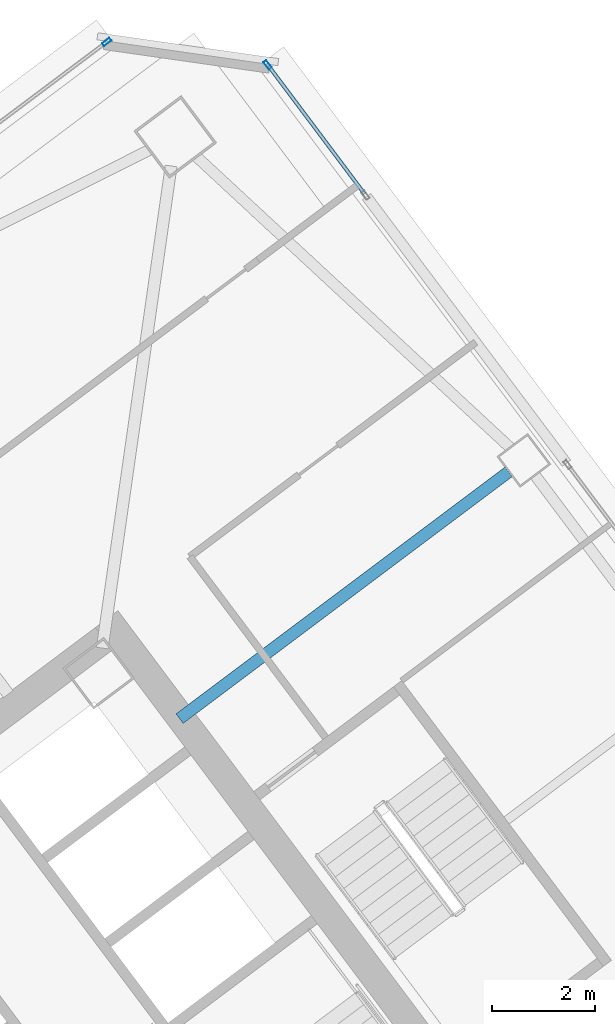
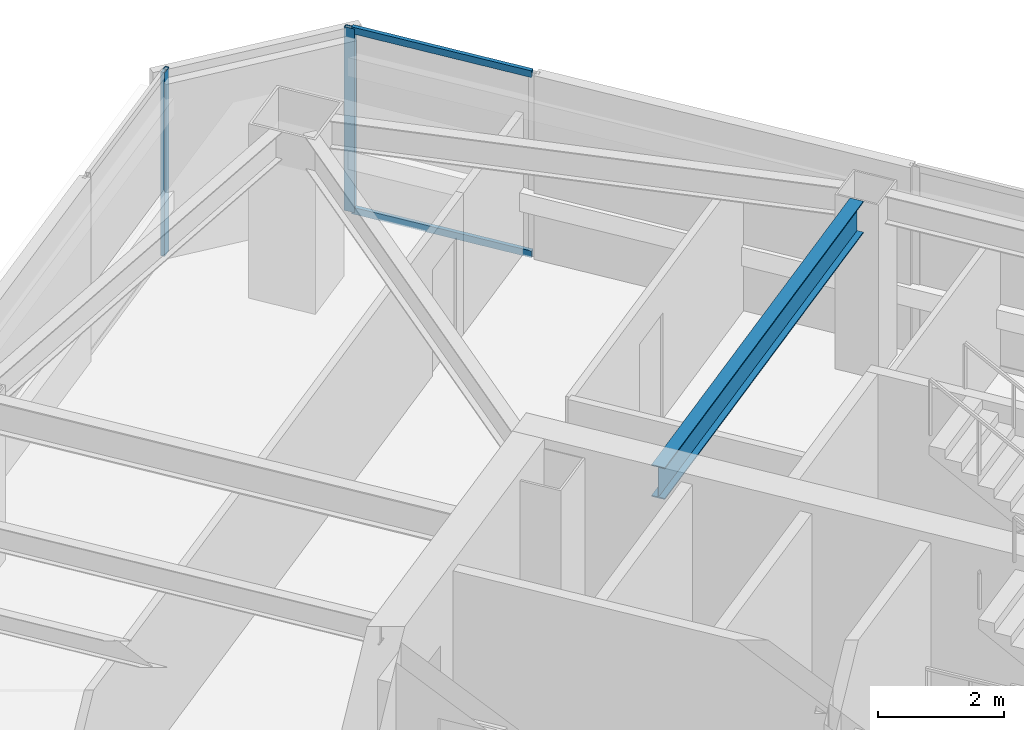
# One storey, part 27 of 41: 4 members, 1 beam, 2 elements without a shape of their own.
"""IFC4 building model written with IfcOpenShell, lengths in metres."""

from ifc_helpers import new_model, si_unit, direction, frame, origin, origin_2d, place, context, subcontext, project, spatial, hollow_rectangle, i_section, extrude, material, material_profile, profile_set, type_object, element, aggregate, save


model = new_model("IFC4")

# Units and contexts
model_context = context("Model", 3, precision=1e-05, world=origin(), true_north=direction((0.0, 1.0)))
body_context = subcontext(model_context, "Body", "Model", "MODEL_VIEW")
ifc_project = project(units=[si_unit("LENGTHUNIT", "METRE"), si_unit("AREAUNIT", "SQUARE_METRE"), si_unit("VOLUMEUNIT", "CUBIC_METRE"), si_unit("PLANEANGLEUNIT", "RADIAN"), si_unit("MASSUNIT", "GRAM", prefix="KILO")], contexts=[model_context])

# Site, building, storey
site_placement = place(None, origin())
site = spatial("IfcSite", under=ifc_project, at=site_placement, CompositionType="ELEMENT")
building_placement = place(site_placement, origin())
building = spatial("IfcBuilding", under=site, at=building_placement, Name="Tashvorn Skyway Center", CompositionType="ELEMENT")
storey_placement = place(building_placement, frame((0.0, 0.0, 174.75)))
storey = spatial("IfcBuildingStorey", under=building, at=storey_placement, Name="L47", CompositionType="ELEMENT", Elevation=174.75)

# Beam
ifc_material_1 = material(Name="Steel ASTM A992 Grade 50", Category="steel")
ifc_material_profile_1 = material_profile(ifc_material_1, i_section(OverallWidth=0.22998046875, OverallDepth=0.616943359375, WebThickness=0.01318359375, FlangeThickness=0.022216796875, at=origin_2d()), Name="W24X94")
ifc_profile_set_1 = profile_set([ifc_material_profile_1], Name="Steel ASTM A992 Grade 50")
beam_type = type_object("IfcBeamType", Name="BM-BEAM-W24X94", PredefinedType="BEAM", material=ifc_profile_set_1)
beam_placement = place(storey_placement, frame((123.384033203125, 45.7880859375, 3.0615234375), z_axis=(-0.800003662027, -0.599995117266, 0.0), x_axis=(0.599995117266, -0.800003662027, 0.0)))
element("IfcBeam", 1, at=beam_placement, inside=storey, type_object=beam_type, Name="Tower 2 L47 Primary Floor Girder FC-E2", PredefinedType="BEAM", context=body_context, shape_type="SweptSolid", body=[
    extrude(i_section(OverallWidth=0.22998046875, OverallDepth=0.616943359375, WebThickness=0.01318359375, FlangeThickness=0.022216796875, at=origin_2d()), origin(), (0.0, 0.0, 1.0), 8.000244140625),
])

# Curtain wall, member
ifc_material_2 = material(Name="Thermally broken bronze-anodized aluminium 6063-T6", Category="aluminium")
curtain_wall_type = type_object("IfcCurtainWallType", Name="CW-CW-Z4", PredefinedType="NOTDEFINED", material=ifc_material_2)
curtain_wall_1_placement = place(storey_placement, origin())
curtain_wall_1 = element("IfcCurtainWall", 2, at=curtain_wall_1_placement, inside=storey, type_object=curtain_wall_type, Name="Tower 2 L47 North Unitised Curtain Wall Glazing Group 3", PredefinedType="NOTDEFINED")
ifc_material_profile_2 = material_profile(ifc_material_2, hollow_rectangle(XDim=0.070068359375, YDim=0.179931640625, WallThickness=0.00390625, at=origin_2d()), Name="ALU-MULL-70x180")
ifc_profile_set_2 = profile_set([ifc_material_profile_2], Name="Thermally broken bronze-anodized aluminium 6063-T6")
member_type_1 = type_object("IfcMemberType", Name="CWM-CW-Z4", PredefinedType="MULLION", material=ifc_profile_set_2)
member_1_placement = place(storey_placement, frame((115.568115234375, 54.15087890625, 0.0), z_axis=(0.0, 0.0, 1.0), x_axis=(-0.600000000002, 0.799999999998, 0.0)))
member_1 = element("IfcMember", 3, at=member_1_placement, type_object=member_type_1, Name="CW-Z4 mullion 2", PredefinedType="MULLION", context=body_context, shape_type="SweptSolid", body=[
    extrude(hollow_rectangle(XDim=0.070068359375, YDim=0.179931640625, WallThickness=0.00390625, at=origin_2d()), origin(), (0.0, 0.0, 1.0), 3.550048828125),
])
aggregate(curtain_wall_1, [member_1])

# Curtain wall, members
curtain_wall_2_placement = place(storey_placement, origin())
curtain_wall_2 = element("IfcCurtainWall", 4, at=curtain_wall_2_placement, inside=storey, type_object=curtain_wall_type, Name="Tower 2 L47 East Unitised Curtain Wall Glazing Group 1", PredefinedType="NOTDEFINED")
member_2_placement = place(storey_placement, frame((118.697021484375, 53.7041015625, 0.0), z_axis=(0.0, 0.0, 1.0), x_axis=(0.799999999998, 0.600000000002, 0.0)))
member_2 = element("IfcMember", 5, at=member_2_placement, type_object=member_type_1, Name="CW-Z4 mullion 1", PredefinedType="MULLION", context=body_context, shape_type="SweptSolid", body=[
    extrude(hollow_rectangle(XDim=0.070068359375, YDim=0.179931640625, WallThickness=0.00390625, at=origin_2d()), origin(), (0.0, 0.0, 1.0), 3.550048828125),
])
ifc_material_profile_3 = material_profile(ifc_material_2, hollow_rectangle(XDim=0.070068359375, YDim=0.1298828125, WallThickness=0.00390625, at=origin_2d()), Name="ALU-TRAN-70x130")
ifc_profile_set_3 = profile_set([ifc_material_profile_3], Name="Thermally broken bronze-anodized aluminium 6063-T6")
member_type_2 = type_object("IfcMemberType", Name="CWT-CW-Z4", PredefinedType="USERDEFINED", material=ifc_profile_set_3)
member_3_placement = place(storey_placement, frame((118.718017578125, 53.676025390625, 0.034912109375), z_axis=(0.599974797295, -0.800018901408, 0.0), x_axis=(0.800018901408, 0.599974797295, 0.0)))
member_3 = element("IfcMember", 6, at=member_3_placement, type_object=member_type_2, Name="CW-Z4 transom 1.1", ObjectType="TRANSOM", PredefinedType="USERDEFINED", context=body_context, shape_type="SweptSolid", body=[
    extrude(hollow_rectangle(XDim=0.070068359375, YDim=0.1298828125, WallThickness=0.00390625, at=origin_2d()), origin(), (0.0, 0.0, 1.0), 3.099853515625),
])
member_4_placement = place(storey_placement, frame((118.718017578125, 53.676025390625, 3.514892578125), z_axis=(0.599974797295, -0.800018901408, 0.0), x_axis=(0.800018901408, 0.599974797295, 0.0)))
member_4 = element("IfcMember", 7, at=member_4_placement, type_object=member_type_2, Name="CW-Z4 transom 1.2", ObjectType="TRANSOM", PredefinedType="USERDEFINED", context=body_context, shape_type="SweptSolid", body=[
    extrude(hollow_rectangle(XDim=0.070068359375, YDim=0.1298828125, WallThickness=0.00390625, at=origin_2d()), origin(), (0.0, 0.0, 1.0), 3.099853515625),
])
aggregate(curtain_wall_2, [member_2, member_3, member_4])

save(model, "model.ifc")
